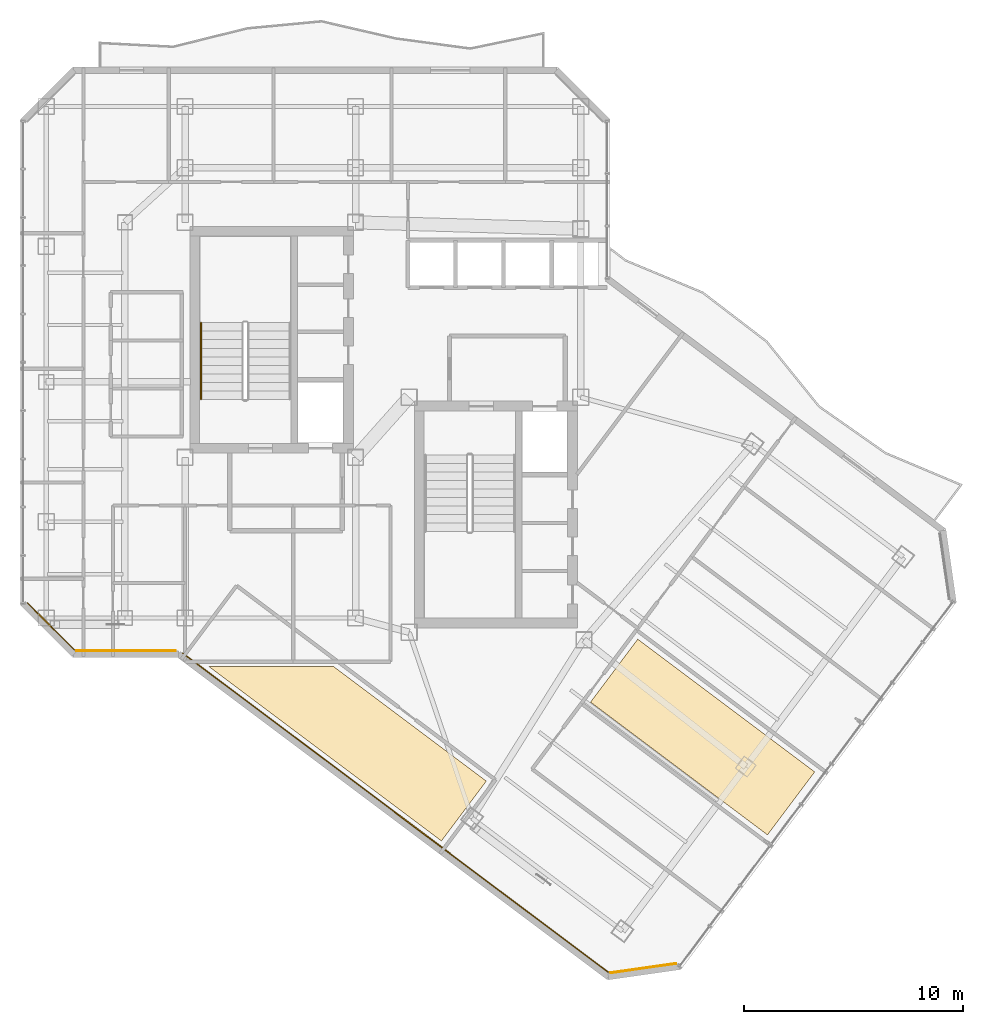
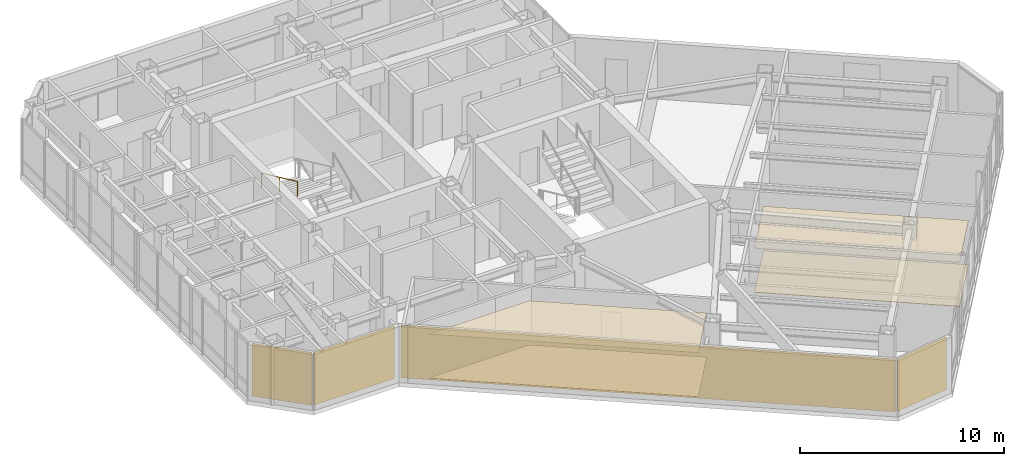
# One storey, part 23 of 26: 8 coverings, 1 railing.
"""IFC4 building model written with IfcOpenShell, lengths in metres."""

from ifc_helpers import new_model, si_unit, direction, frame, origin, origin_2d, place, context, subcontext, project, spatial, polyline, rectangle, circle, outline, extrude, material, layer, layer_set, type_object, element, save


model = new_model("IFC4")

# Units and contexts
model_context = context("Model", 3, precision=1e-05, world=origin(), true_north=direction((0.0, 1.0)))
body_context = subcontext(model_context, "Body", "Model", "MODEL_VIEW")
ifc_project = project(units=[si_unit("LENGTHUNIT", "METRE"), si_unit("AREAUNIT", "SQUARE_METRE"), si_unit("VOLUMEUNIT", "CUBIC_METRE"), si_unit("PLANEANGLEUNIT", "RADIAN"), si_unit("MASSUNIT", "GRAM", prefix="KILO")], contexts=[model_context])

# Site, building, storey
site_placement = place(None, origin())
site = spatial("IfcSite", under=ifc_project, at=site_placement, CompositionType="ELEMENT")
building_placement = place(site_placement, origin())
building = spatial("IfcBuilding", under=site, at=building_placement, Name="Hatsunagi Terrace Concourse", CompositionType="ELEMENT")
storey_placement = place(building_placement, frame((0.0, 0.0, 195.14990234375)))
storey = spatial("IfcBuildingStorey", under=building, at=storey_placement, Name="L51", CompositionType="ELEMENT", Elevation=195.14990234375)

# Coverings
ifc_material_1 = material(Name="Acoustic mineral board", Category="gypsum")
ifc_layer_1 = layer(ifc_material_1, 0.02001953125)
ifc_layer_set_1 = layer_set([ifc_layer_1], Name="AcousticMineralCeiling_20")
covering_type_1 = type_object("IfcCoveringType", Name="AcousticMineralCeiling_20", PredefinedType="CEILING", material=ifc_layer_set_1)
covering_1_placement = place(storey_placement, frame((0.0, 0.0, 2.630126953125)))
element("IfcCovering", 1, at=covering_1_placement, inside=storey, type_object=covering_type_1, Name="Suspended Ceiling L51-1", PredefinedType="CEILING", context=body_context, shape_type="SweptSolid", body=[
    extrude(outline(polyline([(26.626953125, 22.991943359375), (37.278076171875, 15.00390625), (39.330078125, 17.739990234375), (32.327880859375, 22.991943359375), (26.626953125, 22.991943359375)])), origin(), (0.0, 0.0, 1.0), 0.02001953125),
])
ifc_material_2 = material(Name="Granite stone paving", Category="masonry")
ifc_layer_2 = layer(ifc_material_2, 0.02490234375)
ifc_layer_set_2 = layer_set([ifc_layer_2], Name="GraniteStoneFlooring_25")
covering_type_2 = type_object("IfcCoveringType", Name="GraniteStoneFlooring_25", PredefinedType="FLOORING", material=ifc_layer_set_2)
covering_2_placement = place(storey_placement, origin())
element("IfcCovering", 2, at=covering_2_placement, inside=storey, type_object=covering_type_2, Name="Finished Flooring L51-2", PredefinedType="FLOORING", context=body_context, shape_type="SweptSolid", body=[
    extrude(outline(polyline([(54.35595703125, 18.157958984375), (46.260009765625, 24.22998046875), (44.10009765625, 21.35009765625), (52.196044921875, 15.278076171875), (54.35595703125, 18.157958984375)])), origin(), (0.0, 0.0, 1.0), 0.025146484375),
])
ifc_material_3 = material(Name="Hardwood timber", Category="wood")
ifc_layer_3 = layer(ifc_material_3, 0.014892578125)
ifc_layer_set_3 = layer_set([ifc_layer_3], Name="HardwoodTimberFlooring_15")
covering_type_3 = type_object("IfcCoveringType", Name="HardwoodTimberFlooring_15", PredefinedType="FLOORING", material=ifc_layer_set_3)
covering_3_placement = place(storey_placement, origin())
element("IfcCovering", 3, at=covering_3_placement, inside=storey, type_object=covering_type_3, Name="Finished Flooring L51-1", PredefinedType="FLOORING", context=body_context, shape_type="SweptSolid", body=[
    extrude(outline(polyline([(26.626953125, 22.991943359375), (37.278076171875, 15.00390625), (39.330078125, 17.739990234375), (32.327880859375, 22.991943359375), (26.626953125, 22.991943359375)])), origin(), (0.0, 0.0, 1.0), 0.01513671875),
])

# Railing
ifc_material_4 = material(Name="Stainless steel", Category="steel")
ifc_layer_4 = layer(ifc_material_4, 0.044921875)
ifc_layer_set_4 = layer_set([ifc_layer_4], Name="StairPitchHandrail_Tower2000")
railing_type = type_object("IfcRailingType", Name="StairPitchHandrail_Tower2000", PredefinedType="HANDRAIL", material=ifc_layer_set_4)
railing_placement = place(storey_placement, frame((26.280029296875, 38.7099609375, 1.97998046875)))
element("IfcRailing", 4, at=railing_placement, inside=storey, type_object=railing_type, Name="L51 ST-A stair handrail 2", PredefinedType="HANDRAIL", context=body_context, shape_type="SweptSolid", body=[
    extrude(circle(Radius=0.02392578125, at=origin_2d()), frame((0.0, 0.0, 0.8759765625), z_axis=(0.0, -0.907948293929, 0.419082206198), x_axis=(1.0, 0.0, 0.0)), (0.0, 0.0, 1.0), 3.865966796875),
    extrude(circle(Radius=0.02099609375, at=origin_2d()), origin(), (0.0, 0.0, 1.0), 0.851806640625),
    extrude(circle(Radius=0.02099609375, at=origin_2d()), frame((0.0, -1.7548828125, 0.81005859375)), (0.0, 0.0, 1.0), 0.851806640625),
    extrude(circle(Radius=0.02099609375, at=origin_2d()), frame((0.0, -3.510009765625, 1.6201171875)), (0.0, 0.0, 1.0), 0.851806640625),
])

# Coverings
ifc_material_5 = material(Name="Unglazed Warm Terracotta Rainscreen Tile", Category="masonry")
ifc_layer_5 = layer(ifc_material_5, 0.044921875)
ifc_layer_set_5 = layer_set([ifc_layer_5], Name="TerracottaRainscreenCladding_45")
covering_type_4 = type_object("IfcCoveringType", Name="TerracottaRainscreenCladding_45", PredefinedType="CLADDING", material=ifc_layer_set_5)
covering_4_placement = place(storey_placement, frame((46.51806640625, 9.178955078125, 0.10009765625), z_axis=(0.0, 0.0, 1.0), x_axis=(-0.989973920543, -0.141250262458, 0.0)))
element("IfcCovering", 5, at=covering_4_placement, inside=storey, type_object=covering_type_4, Name="Terracotta Rainscreen Cladding L51-04", PredefinedType="CLADDING", context=body_context, shape_type="SweptSolid", body=[
    extrude(rectangle(XDim=3.0380859375, YDim=0.044921875, at=origin_2d()), origin(), (0.0, 0.0, 1.0), 3.14990234375),
])
covering_5_placement = place(storey_placement, frame((35.179931640625, 16.29296875, 0.10009765625), z_axis=(0.0, 0.0, 1.0), x_axis=(-0.800005211305, 0.599993051531, 0.0)))
element("IfcCovering", 6, at=covering_5_placement, inside=storey, type_object=covering_type_4, Name="Terracotta Rainscreen Cladding L51-05", PredefinedType="CLADDING", context=body_context, shape_type="SweptSolid", body=[
    extrude(rectangle(XDim=24.34912109375, YDim=0.044921875, at=origin_2d()), origin(), (0.0, 0.0, 1.0), 3.14990234375),
])
covering_6_placement = place(storey_placement, frame((22.85205078125, 23.701904296875, 0.10009765625), z_axis=(0.0, 0.0, 1.0), x_axis=(-1.0, 0.0, 0.0)))
element("IfcCovering", 7, at=covering_6_placement, inside=storey, type_object=covering_type_4, Name="Terracotta Rainscreen Cladding L51-06", PredefinedType="CLADDING", context=body_context, shape_type="SweptSolid", body=[
    extrude(rectangle(XDim=4.549072265625, YDim=0.044921875, at=origin_2d()), origin(), (0.0, 0.0, 1.0), 3.14990234375),
])
covering_7_placement = place(storey_placement, frame((19.4140625, 24.81396484375, 0.10009765625), z_axis=(0.0, 0.0, 1.0), x_axis=(-0.707106781187, 0.707106781187, 0.0)))
element("IfcCovering", 8, at=covering_7_placement, inside=storey, type_object=covering_type_4, Name="Terracotta Rainscreen Cladding L51-07", PredefinedType="CLADDING", context=body_context, shape_type="SweptSolid", body=[
    extrude(rectangle(XDim=3.0380859375, YDim=0.044921875, at=origin_2d()), origin(), (0.0, 0.0, 1.0), 3.14990234375),
])
ifc_material_6 = material(Name="Hardwood timber", Category="wood")
ifc_layer_6 = layer(ifc_material_6, 0.034912109375)
ifc_layer_set_6 = layer_set([ifc_layer_6], Name="TimberBaffleCeiling_35")
covering_type_5 = type_object("IfcCoveringType", Name="TimberBaffleCeiling_35", PredefinedType="CEILING", material=ifc_layer_set_6)
covering_8_placement = place(storey_placement, frame((0.0, 0.0, 2.630126953125)))
element("IfcCovering", 9, at=covering_8_placement, inside=storey, type_object=covering_type_5, Name="Suspended Ceiling L51-2", PredefinedType="CEILING", context=body_context, shape_type="SweptSolid", body=[
    extrude(outline(polyline([(54.35595703125, 18.157958984375), (46.260009765625, 24.22998046875), (44.10009765625, 21.35009765625), (52.196044921875, 15.278076171875), (54.35595703125, 18.157958984375)])), origin(), (0.0, 0.0, 1.0), 0.034912109375),
])

save(model, "model.ifc")
